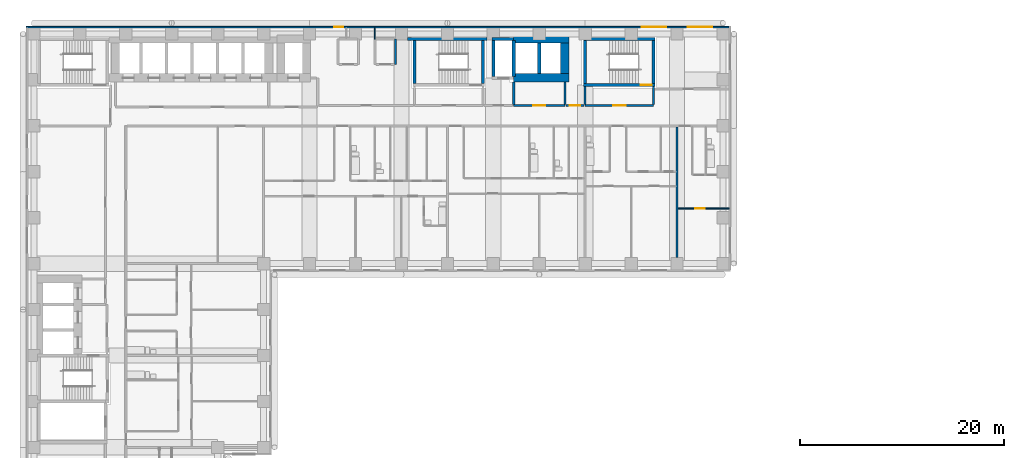
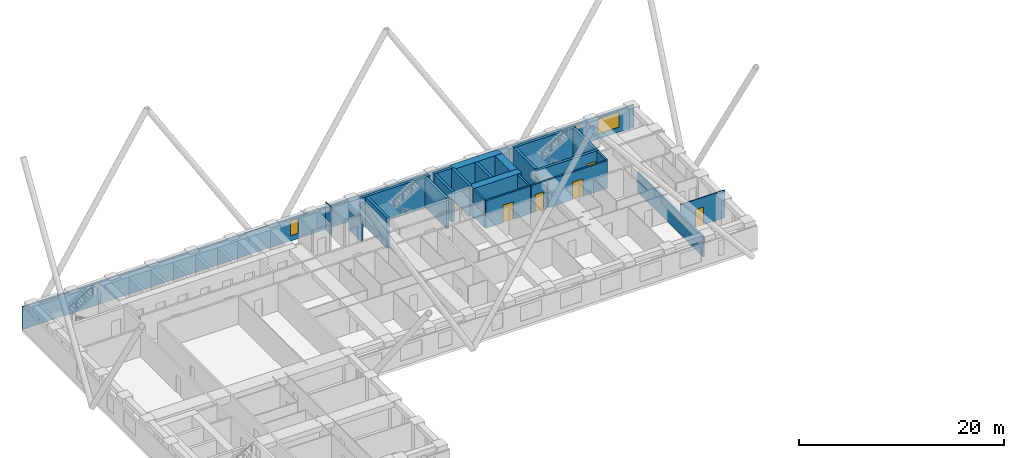
# One storey, part 14 of 20: 26 walls, 5 doors, 3 windows, 8 openings.
"""IFC4 building model written with IfcOpenShell, lengths in metres."""

from ifc_helpers import new_model, si_unit, direction, frame, frame_2d, origin, place, context, subcontext, project, spatial, rectangle, extrude, material, layer, layer_set, type_object, element, fill, save


model = new_model("IFC4")

# Units and contexts
model_context = context("Model", 3, precision=1e-05, world=origin(), true_north=direction((0.0, 1.0)))
body_context = subcontext(model_context, "Body", "Model", "MODEL_VIEW")
ifc_project = project(units=[si_unit("LENGTHUNIT", "METRE"), si_unit("AREAUNIT", "SQUARE_METRE"), si_unit("VOLUMEUNIT", "CUBIC_METRE"), si_unit("PLANEANGLEUNIT", "RADIAN"), si_unit("MASSUNIT", "GRAM", prefix="KILO")], contexts=[model_context])

# Site, building, storey
site_placement = place(None, origin())
site = spatial("IfcSite", under=ifc_project, at=site_placement, CompositionType="ELEMENT")
building_placement = place(site_placement, origin())
building = spatial("IfcBuilding", under=site, at=building_placement, Name="Firuza Court", CompositionType="ELEMENT")
storey_placement = place(building_placement, frame((0.0, 0.0, 29.0)))
storey = spatial("IfcBuildingStorey", under=building, at=storey_placement, Name="L05", CompositionType="ELEMENT", Elevation=29.0)

# Walls
ifc_material_1 = material(Name="Concrete C60/75", Category="concrete")
ifc_layer_1 = layer(ifc_material_1, 0.300048828125)
ifc_layer_set_1 = layer_set([ifc_layer_1], Name="Concrete C60/75")
wall_type_1 = type_object("IfcWallType", Name="Core wall 300 C60/75", PredefinedType="SHEAR", material=ifc_layer_set_1)
wall_1_placement = place(storey_placement, frame((36.60009765625, 58.0, -0.300048828125), z_axis=(0.0, 0.0, 1.0), x_axis=(1.0, 0.0, 0.0)))
element("IfcWall", 1, at=wall_1_placement, inside=storey, type_object=wall_type_1, Name="Core wall stair L05", PredefinedType="SHEAR", context=body_context, shape_type="SweptSolid", body=[
    extrude(rectangle(XDim=7.7998046875, YDim=0.300048828125, at=frame_2d((3.89990234375, 0.0))), origin(), (0.0, 0.0, 1.0), 3.60009765625),
])
for number, where, z_axis, x_axis, name in (
    (2, (37.300048828125, 53.64990234375, -0.300048828125), (0.0, 0.0, 1.0), (0.0, 1.0, 0.0), "Core wall stair L05"),
    (3, (44.0, 53.64990234375, -0.300048828125), (0.0, 0.0, 1.0), (0.0, 1.0, 0.0), "Core wall stair L05"),
):
    element("IfcWall", number, at=place(storey_placement, frame(where, z_axis=z_axis, x_axis=x_axis)), inside=storey, type_object=wall_type_1, Name=name, PredefinedType="SHEAR", context=body_context, shape_type="SweptSolid", body=[
        extrude(rectangle(XDim=4.2001953125, YDim=0.300048828125, at=frame_2d((2.10009765625, 0.0))), origin(), (0.0, 0.0, 1.0), 3.60009765625),
    ])
wall_2_placement = place(storey_placement, frame((44.85009765625, 58.0, -0.300048828125), z_axis=(0.0, 0.0, 1.0), x_axis=(1.0, 0.0, 0.0)))
element("IfcWall", 4, at=wall_2_placement, inside=storey, type_object=wall_type_1, Name="Core wall riser L05", PredefinedType="SHEAR", context=body_context, shape_type="SweptSolid", body=[
    extrude(rectangle(XDim=2.14990234375, YDim=0.300048828125, at=frame_2d((1.074951171875, 0.0))), origin(), (0.0, 0.0, 1.0), 3.60009765625),
])
for number, where, z_axis, x_axis, name in (
    (5, (45.0, 54.35009765625, -0.300048828125), (0.0, 0.0, 1.0), (0.0, 1.0, 0.0), "Core wall riser L05"),
    (6, (47.0, 54.35009765625, -0.300048828125), (0.0, 0.0, 1.0), (0.0, 1.0, 0.0), "Core wall lift shaft L05"),
):
    element("IfcWall", number, at=place(storey_placement, frame(where, z_axis=z_axis, x_axis=x_axis)), inside=storey, type_object=wall_type_1, Name=name, PredefinedType="SHEAR", context=body_context, shape_type="SweptSolid", body=[
        extrude(rectangle(XDim=3.5, YDim=0.300048828125, at=frame_2d((1.75, 0.0))), origin(), (0.0, 0.0, 1.0), 3.60009765625),
    ])
wall_3_placement = place(storey_placement, frame((49.5, 54.60009765625, -0.300048828125), z_axis=(0.0, 0.0, 1.0), x_axis=(0.0, 1.0, 0.0)))
element("IfcWall", 7, at=wall_3_placement, inside=storey, type_object=wall_type_1, Name="Core wall lift shaft L05", PredefinedType="SHEAR", context=body_context, shape_type="SweptSolid", body=[
    extrude(rectangle(XDim=3.0, YDim=0.300048828125, at=frame_2d((1.5, 0.0))), origin(), (0.0, 0.0, 1.0), 3.60009765625),
])

# Wall, opening, door
wall_4_placement = place(storey_placement, frame((53.85009765625, 53.5, -0.300048828125), z_axis=(0.0, 0.0, 1.0), x_axis=(1.0, 0.0, 0.0)))
wall_4 = element("IfcWall", 8, at=wall_4_placement, inside=storey, type_object=wall_type_1, Name="Core wall stair L05", PredefinedType="SHEAR", context=body_context, shape_type="SweptSolid", body=[
    extrude(rectangle(XDim=7.0, YDim=0.300048828125, at=frame_2d((3.5, 0.0))), origin(), (0.0, 0.0, 1.0), 3.60009765625),
])
opening_1_placement = place(wall_4_placement, frame((5.580078125, 0.0, 0.300048828125)))
opening_1 = element("IfcOpeningElement", 9, at=opening_1_placement, cuts=wall_4, Name="Opening D05017", PredefinedType="OPENING", context=body_context, shape_type="SweptSolid", body=[
    extrude(rectangle(XDim=1.10009765625, YDim=2.10009765625, at=frame_2d((0.550048828125, 1.050048828125))), frame((0.0, 0.162109375, 0.0), z_axis=(0.0, -1.0, 0.0), x_axis=(1.0, 0.0, 0.0)), (0.0, 0.0, 1.0), 0.323974609375),
])
ifc_material_2 = material(Name="Timber door leaf in hardwood frame", Category="wood")
door_type_1 = type_object("IfcDoorType", Name="Stair door 1100", OperationType="SINGLE_SWING_LEFT", PredefinedType="DOOR", material=ifc_material_2)
door_1_placement = place(opening_1_placement, origin())
door_1 = element("IfcDoor", 10, at=door_1_placement, inside=storey, type_object=door_type_1, Name="Stair door S4", OperationType="SINGLE_SWING_RIGHT", OverallHeight=2.10009765625, OverallWidth=1.10009765625, PredefinedType="DOOR", context=body_context, shape_type="SweptSolid", body=[
    extrude(rectangle(XDim=1.10009765625, YDim=2.10009765625, at=frame_2d((0.550048828125, 1.050048828125))), frame((0.0, 0.02490234375, 0.0), z_axis=(0.0, -1.0, 0.0), x_axis=(1.0, 0.0, 0.0)), (0.0, 0.0, 1.0), 0.050048828125),
])
fill(opening_1, door_1)

# Walls
wall_5_placement = place(storey_placement, frame((53.85009765625, 58.0, -0.300048828125), z_axis=(0.0, 0.0, 1.0), x_axis=(1.0, 0.0, 0.0)))
element("IfcWall", 11, at=wall_5_placement, inside=storey, type_object=wall_type_1, Name="Core wall stair L05", PredefinedType="SHEAR", context=body_context, shape_type="SweptSolid", body=[
    extrude(rectangle(XDim=7.0, YDim=0.300048828125, at=frame_2d((3.5, 0.0))), origin(), (0.0, 0.0, 1.0), 3.60009765625),
])
for number, where, z_axis, x_axis, name in (
    (12, (54.0, 53.64990234375, -0.300048828125), (0.0, 0.0, 1.0), (0.0, 1.0, 0.0), "Core wall stair L05"),
    (13, (60.699951171875, 53.64990234375, -0.300048828125), (0.0, 0.0, 1.0), (0.0, 1.0, 0.0), "Core wall stair L05"),
):
    element("IfcWall", number, at=place(storey_placement, frame(where, z_axis=z_axis, x_axis=x_axis)), inside=storey, type_object=wall_type_1, Name=name, PredefinedType="SHEAR", context=body_context, shape_type="SweptSolid", body=[
        extrude(rectangle(XDim=4.2001953125, YDim=0.300048828125, at=frame_2d((2.10009765625, 0.0))), origin(), (0.0, 0.0, 1.0), 3.60009765625),
    ])
ifc_layer_2 = layer(ifc_material_1, 0.800048828125)
ifc_layer_set_2 = layer_set([ifc_layer_2], Name="Concrete C60/75")
wall_type_2 = type_object("IfcWallType", Name="Core wall 800 C60/75", PredefinedType="SHEAR", material=ifc_layer_set_2)
for number, where, z_axis, x_axis, name in (
    (14, (47.0, 54.199951171875, -0.300048828125), (0.0, 0.0, 1.0), (1.0, 0.0, 0.0), "Core wall lift shaft L05"),
    (15, (47.0, 58.0, -0.300048828125), (0.0, 0.0, 1.0), (1.0, 0.0, 0.0), "Core wall lift shaft L05"),
):
    element("IfcWall", number, at=place(storey_placement, frame(where, z_axis=z_axis, x_axis=x_axis)), inside=storey, type_object=wall_type_2, Name=name, PredefinedType="SHEAR", context=body_context, shape_type="SweptSolid", body=[
        extrude(rectangle(XDim=5.39990234375, YDim=0.800048828125, at=frame_2d((2.699951171875, 0.0))), origin(), (0.0, 0.0, 1.0), 3.60009765625),
    ])
wall_6_placement = place(storey_placement, frame((52.0, 54.60009765625, -0.300048828125), z_axis=(0.0, 0.0, 1.0), x_axis=(0.0, 1.0, 0.0)))
element("IfcWall", 16, at=wall_6_placement, inside=storey, type_object=wall_type_2, Name="Core wall lift shaft L05", PredefinedType="SHEAR", context=body_context, shape_type="SweptSolid", body=[
    extrude(rectangle(XDim=3.0, YDim=0.800048828125, at=frame_2d((1.5, 0.0))), origin(), (0.0, 0.0, 1.0), 3.60009765625),
])

# Wall, opening, door
ifc_material_3 = material(Name="Blockwork, plastered both sides", Category="masonry")
ifc_layer_3 = layer(ifc_material_3, 0.199951171875)
ifc_layer_set_3 = layer_set([ifc_layer_3], Name="Blockwork, plastered both sides")
wall_type_3 = type_object("IfcWallType", Name="Corridor wall 200", PredefinedType="PARTITIONING", material=ifc_layer_set_3)
wall_7_placement = place(storey_placement, frame((52.10009765625, 51.5, 0.0), z_axis=(0.0, 0.0, 1.0), x_axis=(1.0, 0.0, 0.0)))
wall_7 = element("IfcWall", 17, at=wall_7_placement, inside=storey, type_object=wall_type_3, Name="Corridor wall 200 L05", PredefinedType="PARTITIONING", context=body_context, shape_type="SweptSolid", body=[
    extrude(rectangle(XDim=1.7998046875, YDim=0.199951171875, at=frame_2d((0.89990234375, 0.0))), origin(), (0.0, 0.0, 1.0), 3.300048828125),
])
opening_2_placement = place(wall_7_placement, frame((0.39990234375, 0.0, 0.0)))
opening_2 = element("IfcOpeningElement", 18, at=opening_2_placement, cuts=wall_7, Name="Opening D05073", PredefinedType="OPENING", context=body_context, shape_type="SweptSolid", body=[
    extrude(rectangle(XDim=1.0, YDim=2.10009765625, at=frame_2d((0.5, 1.050048828125))), frame((0.0, 0.11181640625, 0.0), z_axis=(0.0, -1.0, 0.0), x_axis=(1.0, 0.0, 0.0)), (0.0, 0.0, 1.0), 0.223876953125),
])
ifc_material_4 = material(Name="Timber door leaf in hardwood frame", Category="wood")
door_type_2 = type_object("IfcDoorType", Name="Store door 1000", OperationType="SINGLE_SWING_LEFT", PredefinedType="DOOR", material=ifc_material_4)
door_2_placement = place(opening_2_placement, origin())
door_2 = element("IfcDoor", 19, at=door_2_placement, inside=storey, type_object=door_type_2, Name="Parcel room door", OperationType="SINGLE_SWING_LEFT", OverallHeight=2.10009765625, OverallWidth=1.0, PredefinedType="DOOR", context=body_context, shape_type="SweptSolid", body=[
    extrude(rectangle(XDim=1.0, YDim=2.10009765625, at=frame_2d((0.5, 1.050048828125))), frame((0.0, 0.02490234375, 0.0), z_axis=(0.0, -1.0, 0.0), x_axis=(1.0, 0.0, 0.0)), (0.0, 0.0, 1.0), 0.050048828125),
])
fill(opening_2, door_2)

ifc_material_5 = material(Name="Timber stud partition, plasterboard both sides", Category="wood")
ifc_layer_4 = layer(ifc_material_5, 0.10009765625)
ifc_layer_set_4 = layer_set([ifc_layer_4], Name="Timber stud partition, plasterboard both sides")
wall_type_4 = type_object("IfcWallType", Name="Partition wall 100", PredefinedType="PARTITIONING", material=ifc_layer_set_4)
wall_8_placement = place(storey_placement, frame((63.10009765625, 41.39990234375, 0.0), z_axis=(0.0, 0.0, 1.0), x_axis=(1.0, 0.0, 0.0)))
wall_8 = element("IfcWall", 20, at=wall_8_placement, inside=storey, type_object=wall_type_4, Name="Partition wall 100 L05", PredefinedType="PARTITIONING", context=body_context, shape_type="SweptSolid", body=[
    extrude(rectangle(XDim=5.0, YDim=0.10009765625, at=frame_2d((2.5, 0.0))), origin(), (0.0, 0.0, 1.0), 3.300048828125),
])
opening_3_placement = place(wall_8_placement, frame((1.699951171875, 0.0, 0.0)))
opening_3 = element("IfcOpeningElement", 21, at=opening_3_placement, cuts=wall_8, Name="Opening D05043", PredefinedType="OPENING", context=body_context, shape_type="SweptSolid", body=[
    extrude(rectangle(XDim=0.89990234375, YDim=2.10009765625, at=frame_2d((0.449951171875, 1.050048828125))), frame((0.0, 0.06201171875, 0.0), z_axis=(0.0, -1.0, 0.0), x_axis=(1.0, 0.0, 0.0)), (0.0, 0.0, 1.0), 0.1240234375),
])
ifc_material_6 = material(Name="Timber door leaf in hardwood frame", Category="wood")
door_type_3 = type_object("IfcDoorType", Name="Room door 900", OperationType="SINGLE_SWING_LEFT", PredefinedType="DOOR", material=ifc_material_6)
door_3_placement = place(opening_3_placement, frame((0.89990234375, 0.0, 0.0), z_axis=(0.0, 0.0, 1.0), x_axis=(-1.0, 0.0, 0.0)))
door_3 = element("IfcDoor", 22, at=door_3_placement, inside=storey, type_object=door_type_3, Name="Studio room door", OperationType="SINGLE_SWING_RIGHT", OverallHeight=2.10009765625, OverallWidth=0.89990234375, PredefinedType="DOOR", context=body_context, shape_type="SweptSolid", body=[
    extrude(rectangle(XDim=0.89990234375, YDim=2.10009765625, at=frame_2d((0.449951171875, 1.050048828125))), frame((0.0, 0.02490234375, 0.0), z_axis=(0.0, -1.0, 0.0), x_axis=(1.0, 0.0, 0.0)), (0.0, 0.0, 1.0), 0.050048828125),
])
fill(opening_3, door_3)

# Walls
wall_9_placement = place(storey_placement, frame((33.39990234375, 58.0, 0.0), z_axis=(0.0, 0.0, 1.0), x_axis=(0.0, 1.0, 0.0)))
element("IfcWall", 23, at=wall_9_placement, inside=storey, type_object=wall_type_4, Name="Partition wall 100 L05", PredefinedType="PARTITIONING", context=body_context, shape_type="SweptSolid", body=[
    extrude(rectangle(XDim=1.10009765625, YDim=0.10009765625, at=frame_2d((0.550048828125, 0.0))), origin(), (0.0, 0.0, 1.0), 3.300048828125),
])
ifc_layer_5 = layer(ifc_material_3, 0.199951171875)
ifc_layer_set_5 = layer_set([ifc_layer_5], Name="Blockwork, plastered both sides")
wall_type_5 = type_object("IfcWallType", Name="Party wall 200", PredefinedType="PARTITIONING", material=ifc_layer_set_5)
wall_10_placement = place(storey_placement, frame((63.0, 36.60009765625, 0.0), z_axis=(0.0, 0.0, 1.0), x_axis=(0.0, 1.0, 0.0)))
element("IfcWall", 24, at=wall_10_placement, inside=storey, type_object=wall_type_5, Name="Party wall 200 L05", PredefinedType="PARTITIONING", context=body_context, shape_type="SweptSolid", body=[
    extrude(rectangle(XDim=12.7998046875, YDim=0.199951171875, at=frame_2d((6.39990234375, 0.0))), origin(), (0.0, 0.0, 1.0), 2.39990234375),
])
ifc_material_7 = material(Name="Blockwork, fire-rated", Category="masonry")
ifc_layer_6 = layer(ifc_material_7, 0.199951171875)
ifc_layer_set_6 = layer_set([ifc_layer_6], Name="Blockwork, fire-rated")
wall_type_6 = type_object("IfcWallType", Name="Plant room wall 200", PredefinedType="PARTITIONING", material=ifc_layer_set_6)
wall_11_placement = place(storey_placement, frame((35.39990234375, 55.5, 0.0), z_axis=(0.0, 0.0, 1.0), x_axis=(0.0, 1.0, 0.0)))
element("IfcWall", 25, at=wall_11_placement, inside=storey, type_object=wall_type_6, Name="Plant room wall 200 L05", PredefinedType="PARTITIONING", context=body_context, shape_type="SweptSolid", body=[
    extrude(rectangle(XDim=2.5, YDim=0.199951171875, at=frame_2d((1.25, 0.0))), origin(), (0.0, 0.0, 1.0), 2.39990234375),
])

# Wall, openings, windows
ifc_material_8 = material(Name="Ceramic tile", Category="ceramic")
ifc_layer_7 = layer(ifc_material_8, 0.02001953125)
ifc_material_9 = material(Name="Mineral wool insulation", Category="insulation")
ifc_layer_8 = layer(ifc_material_9, 0.050048828125)
ifc_material_10 = material(Name="Concrete C40/50 precast", Category="concrete")
ifc_layer_9 = layer(ifc_material_10, 0.080078125)
ifc_layer_set_7 = layer_set([ifc_layer_7, ifc_layer_8, ifc_layer_9], Name="Concrete C40/50 precast")
wall_type_7 = type_object("IfcWallType", Name="Precast cladding wall with turquoise TILE PANEL face 150", PredefinedType="STANDARD", material=ifc_layer_set_7)
wall_12_placement = place(storey_placement, frame((68.10009765625, 59.175048828125, 0.0), z_axis=(0.0, 0.0, 1.0), x_axis=(-1.0, 0.0, 0.0)))
wall_12 = element("IfcWall", 26, at=wall_12_placement, inside=storey, type_object=wall_type_7, Name="Facade wall L05 N", PredefinedType="STANDARD", context=body_context, shape_type="SweptSolid", body=[
    extrude(rectangle(XDim=68.85009765625, YDim=0.14990234375, at=frame_2d((34.425048828125, 0.0))), origin(), (0.0, 0.0, 1.0), 2.699951171875),
])
opening_4_placement = place(wall_12_placement, frame((1.64990234375, 0.0, 0.60009765625)))
opening_4 = element("IfcOpeningElement", 27, at=opening_4_placement, cuts=wall_12, Name="Opening W1", PredefinedType="OPENING", context=body_context, shape_type="SweptSolid", body=[
    extrude(rectangle(XDim=2.39990234375, YDim=1.800048828125, at=frame_2d((1.199951171875, 0.89990234375))), frame((0.0, 0.0869140625, 0.0), z_axis=(0.0, -1.0, 0.0), x_axis=(1.0, 0.0, 0.0)), (0.0, 0.0, 1.0), 0.173828125),
])
opening_5_placement = place(wall_12_placement, frame((6.14990234375, 0.0, 0.60009765625)))
opening_5 = element("IfcOpeningElement", 28, at=opening_5_placement, cuts=wall_12, Name="Opening W1", PredefinedType="OPENING", context=body_context, shape_type="SweptSolid", body=[
    extrude(rectangle(XDim=2.39990234375, YDim=1.800048828125, at=frame_2d((1.199951171875, 0.89990234375))), frame((0.0, 0.0869140625, 0.0), z_axis=(0.0, -1.0, 0.0), x_axis=(1.0, 0.0, 0.0)), (0.0, 0.0, 1.0), 0.173828125),
])
opening_6_placement = place(wall_12_placement, frame((37.79833984375, 0.0, 0.60009765625)))
opening_6 = element("IfcOpeningElement", 29, at=opening_6_placement, cuts=wall_12, Name="Opening W3", PredefinedType="OPENING", context=body_context, shape_type="SweptSolid", body=[
    extrude(rectangle(XDim=0.89990234375, YDim=1.800048828125, at=frame_2d((0.449951171875, 0.89990234375))), frame((0.0, 0.0869140625, 0.0), z_axis=(0.0, -1.0, 0.0), x_axis=(1.0, 0.0, 0.0)), (0.0, 0.0, 1.0), 0.173828125),
])
ifc_material_11 = material(Name="Aluminium frame, triple clear glazing", Category="aluminium")
window_type_1 = type_object("IfcWindowType", Name="Window W1 2400 x 1800", PartitioningType="SINGLE_PANEL", PredefinedType="WINDOW", material=ifc_material_11)
window_1_placement = place(opening_4_placement, origin())
window_1 = element("IfcWindow", 30, at=window_1_placement, inside=storey, type_object=window_type_1, Name="Window L05", OverallHeight=1.800048828125, OverallWidth=2.39990234375, PartitioningType="SINGLE_PANEL", PredefinedType="WINDOW", context=body_context, shape_type="SweptSolid", body=[
    extrude(rectangle(XDim=2.39990234375, YDim=1.800048828125, at=frame_2d((1.199951171875, 0.89990234375))), frame((0.0, 0.030029296875, 0.0), z_axis=(0.0, -1.0, 0.0), x_axis=(1.0, 0.0, 0.0)), (0.0, 0.0, 1.0), 0.06005859375),
])
fill(opening_4, window_1)
window_2_placement = place(opening_5_placement, origin())
window_2 = element("IfcWindow", 31, at=window_2_placement, inside=storey, type_object=window_type_1, Name="Window L05", OverallHeight=1.800048828125, OverallWidth=2.39990234375, PartitioningType="SINGLE_PANEL", PredefinedType="WINDOW", context=body_context, shape_type="SweptSolid", body=[
    extrude(rectangle(XDim=2.39990234375, YDim=1.800048828125, at=frame_2d((1.199951171875, 0.89990234375))), frame((0.0, 0.030029296875, 0.0), z_axis=(0.0, -1.0, 0.0), x_axis=(1.0, 0.0, 0.0)), (0.0, 0.0, 1.0), 0.06005859375),
])
fill(opening_5, window_2)
ifc_material_12 = material(Name="Aluminium frame, triple clear glazing", Category="aluminium")
window_type_2 = type_object("IfcWindowType", Name="Window W3 900 x 1800", PartitioningType="SINGLE_PANEL", PredefinedType="WINDOW", material=ifc_material_12)
window_3_placement = place(opening_6_placement, origin())
window_3 = element("IfcWindow", 32, at=window_3_placement, inside=storey, type_object=window_type_2, Name="Window L05", OverallHeight=1.800048828125, OverallWidth=0.89990234375, PartitioningType="SINGLE_PANEL", PredefinedType="WINDOW", context=body_context, shape_type="SweptSolid", body=[
    extrude(rectangle(XDim=0.89990234375, YDim=1.800048828125, at=frame_2d((0.449951171875, 0.89990234375))), frame((0.0, 0.030029296875, 0.0), z_axis=(0.0, -1.0, 0.0), x_axis=(1.0, 0.0, 0.0)), (0.0, 0.0, 1.0), 0.06005859375),
])
fill(opening_6, window_3)

# Wall, opening, door
ifc_layer_10 = layer(ifc_material_7, 0.199951171875)
ifc_layer_set_8 = layer_set([ifc_layer_10], Name="Blockwork, fire-rated")
wall_type_8 = type_object("IfcWallType", Name="Shaft wall 200", PredefinedType="PARTITIONING", material=ifc_layer_set_8)
wall_13_placement = place(storey_placement, frame((47.0, 51.5, 0.0), z_axis=(0.0, 0.0, 1.0), x_axis=(1.0, 0.0, 0.0)))
wall_13 = element("IfcWall", 33, at=wall_13_placement, inside=storey, type_object=wall_type_8, Name="Shaft wall 200 L05", PredefinedType="PARTITIONING", context=body_context, shape_type="SweptSolid", body=[
    extrude(rectangle(XDim=5.0, YDim=0.199951171875, at=frame_2d((2.5, 0.0))), origin(), (0.0, 0.0, 1.0), 3.300048828125),
])
opening_7_placement = place(wall_13_placement, frame((1.89990234375, 0.0, 0.0)))
opening_7 = element("IfcOpeningElement", 34, at=opening_7_placement, cuts=wall_13, Name="Opening D05009", PredefinedType="OPENING", context=body_context, shape_type="SweptSolid", body=[
    extrude(rectangle(XDim=1.199951171875, YDim=2.10009765625, at=frame_2d((0.60009765625, 1.050048828125))), frame((0.0, 0.11181640625, 0.0), z_axis=(0.0, -1.0, 0.0), x_axis=(1.0, 0.0, 0.0)), (0.0, 0.0, 1.0), 0.223876953125),
])
ifc_material_13 = material(Name="Timber door leaf in hardwood frame", Category="wood")
door_type_4 = type_object("IfcDoorType", Name="Lobby door 1200", OperationType="SINGLE_SWING_LEFT", PredefinedType="DOOR", material=ifc_material_13)
door_4_placement = place(opening_7_placement, origin())
door_4 = element("IfcDoor", 35, at=door_4_placement, inside=storey, type_object=door_type_4, Name="Lobby door", OperationType="SINGLE_SWING_LEFT", OverallHeight=2.10009765625, OverallWidth=1.199951171875, PredefinedType="DOOR", context=body_context, shape_type="SweptSolid", body=[
    extrude(rectangle(XDim=1.199951171875, YDim=2.10009765625, at=frame_2d((0.60009765625, 1.050048828125))), frame((0.0, 0.02490234375, 0.0), z_axis=(0.0, -1.0, 0.0), x_axis=(1.0, 0.0, 0.0)), (0.0, 0.0, 1.0), 0.050048828125),
])
fill(opening_7, door_4)

# Walls
for number, where, z_axis, x_axis, name in (
    (36, (52.0, 51.60009765625, 0.0), (0.0, 0.0, 1.0), (0.0, 1.0, 0.0), "Shaft wall 200 L05"),
    (37, (47.0, 51.60009765625, 0.0), (0.0, 0.0, 1.0), (0.0, 1.0, 0.0), "Shaft wall 200 L05"),
):
    element("IfcWall", number, at=place(storey_placement, frame(where, z_axis=z_axis, x_axis=x_axis)), inside=storey, type_object=wall_type_8, Name=name, PredefinedType="PARTITIONING", context=body_context, shape_type="SweptSolid", body=[
        extrude(rectangle(XDim=2.179931640625, YDim=0.199951171875, at=frame_2d((1.08984375, 0.0))), origin(), (0.0, 0.0, 1.0), 3.300048828125),
    ])

# Wall, opening, door
wall_14_placement = place(storey_placement, frame((54.0, 51.5, 0.0), z_axis=(0.0, 0.0, 1.0), x_axis=(1.0, 0.0, 0.0)))
wall_14 = element("IfcWall", 38, at=wall_14_placement, inside=storey, type_object=wall_type_8, Name="Shaft wall 200 L05", PredefinedType="PARTITIONING", context=body_context, shape_type="SweptSolid", body=[
    extrude(rectangle(XDim=6.699951171875, YDim=0.199951171875, at=frame_2d((3.35009765625, 0.0))), origin(), (0.0, 0.0, 1.0), 3.300048828125),
])
opening_8_placement = place(wall_14_placement, frame((2.75, 0.0, 0.0)))
opening_8 = element("IfcOpeningElement", 39, at=opening_8_placement, cuts=wall_14, Name="Opening D05007", PredefinedType="OPENING", context=body_context, shape_type="SweptSolid", body=[
    extrude(rectangle(XDim=1.199951171875, YDim=2.10009765625, at=frame_2d((0.60009765625, 1.050048828125))), frame((0.0, 0.11181640625, 0.0), z_axis=(0.0, -1.0, 0.0), x_axis=(1.0, 0.0, 0.0)), (0.0, 0.0, 1.0), 0.223876953125),
])
door_5_placement = place(opening_8_placement, origin())
door_5 = element("IfcDoor", 40, at=door_5_placement, inside=storey, type_object=door_type_4, Name="Lobby door", OperationType="SINGLE_SWING_LEFT", OverallHeight=2.10009765625, OverallWidth=1.199951171875, PredefinedType="DOOR", context=body_context, shape_type="SweptSolid", body=[
    extrude(rectangle(XDim=1.199951171875, YDim=2.10009765625, at=frame_2d((0.60009765625, 1.050048828125))), frame((0.0, 0.02490234375, 0.0), z_axis=(0.0, -1.0, 0.0), x_axis=(1.0, 0.0, 0.0)), (0.0, 0.0, 1.0), 0.050048828125),
])
fill(opening_8, door_5)

# Walls
wall_15_placement = place(storey_placement, frame((60.699951171875, 51.60009765625, 0.0), z_axis=(0.0, 0.0, 1.0), x_axis=(0.0, 1.0, 0.0)))
element("IfcWall", 41, at=wall_15_placement, inside=storey, type_object=wall_type_8, Name="Shaft wall 200 L05", PredefinedType="PARTITIONING", context=body_context, shape_type="SweptSolid", body=[
    extrude(rectangle(XDim=1.72998046875, YDim=0.199951171875, at=frame_2d((0.864990234375, 0.0))), origin(), (0.0, 0.0, 1.0), 3.300048828125),
])
wall_16_placement = place(storey_placement, frame((54.0, 51.60009765625, 0.0), z_axis=(0.0, 0.0, 1.0), x_axis=(0.0, 1.0, 0.0)))
element("IfcWall", 42, at=wall_16_placement, inside=storey, type_object=wall_type_8, Name="Shaft wall 200 L05", PredefinedType="PARTITIONING", context=body_context, shape_type="SweptSolid", body=[
    extrude(rectangle(XDim=1.72998046875, YDim=0.199951171875, at=frame_2d((0.864990234375, 0.0))), origin(), (0.0, 0.0, 1.0), 2.60009765625),
])

save(model, "model.ifc")
